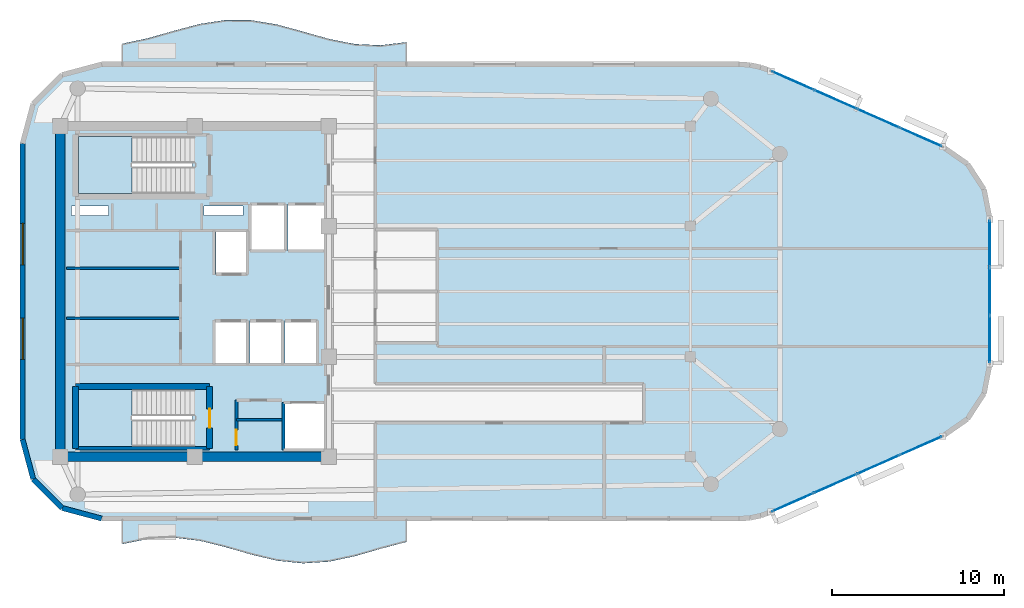
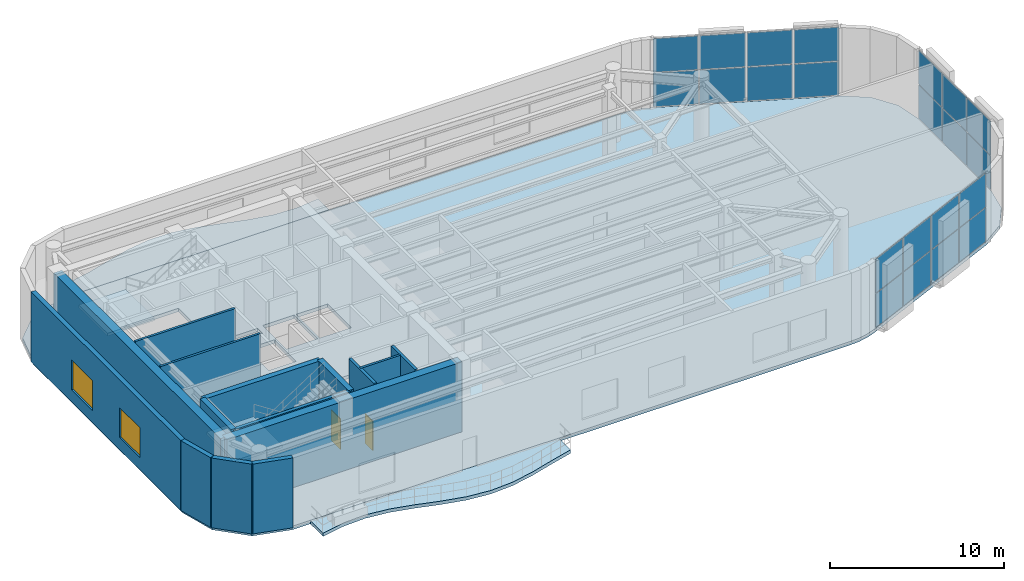
# One storey, part 7 of 12: 22 plates, 15 walls, 5 slabs, 2 doors, 2 windows, 4 openings, 5 elements without a shape of their own.
"""IFC4 building model written with IfcOpenShell, lengths in metres."""

from ifc_helpers import new_model, si_unit, direction, frame, frame_2d, origin, origin_2d, place, context, subcontext, project, spatial, polyline, rectangle, outline, extrude, material, layer, layer_set, type_object, element, fill, aggregate, save


model = new_model("IFC4")

# Units and contexts
model_context = context("Model", 3, precision=1e-05, world=origin(), true_north=direction((0.0, 1.0)))
body_context = subcontext(model_context, "Body", "Model", "MODEL_VIEW")
ifc_project = project(units=[si_unit("LENGTHUNIT", "METRE"), si_unit("AREAUNIT", "SQUARE_METRE"), si_unit("VOLUMEUNIT", "CUBIC_METRE"), si_unit("PLANEANGLEUNIT", "RADIAN"), si_unit("MASSUNIT", "GRAM", prefix="KILO")], contexts=[model_context])

# Site, building, storey
site_placement = place(None, origin())
site = spatial("IfcSite", under=ifc_project, at=site_placement, CompositionType="ELEMENT")
building_placement = place(site_placement, origin())
building = spatial("IfcBuilding", under=site, at=building_placement, Name="An Khanh Terracotta Commons", CompositionType="ELEMENT")
storey_placement = place(building_placement, frame((0.0, 0.0, 253.699951171875)))
storey = spatial("IfcBuildingStorey", under=building, at=storey_placement, Name="L66", CompositionType="ELEMENT", Elevation=253.699951171875)

# Curtain wall, plates
ifc_material_1 = material(Name="Anodised Aluminium 6063-T6", Category="aluminium")
ifc_layer_1 = layer(ifc_material_1, 0.239990234375, Name="Anodised Aluminium 6063-T6")
ifc_layer_set_1 = layer_set([ifc_layer_1], Name="Anodised Aluminium 6063-T6")
curtain_wall_type = type_object("IfcCurtainWallType", Name="CW-SYS-04", PredefinedType="USERDEFINED", material=ifc_layer_set_1)
curtain_wall_1_placement = place(storey_placement, origin())
curtain_wall_1 = element("IfcCurtainWall", 1, at=curtain_wall_1_placement, inside=storey, type_object=curtain_wall_type, Name="L66 CW-04 Unitised Curtain Wall CW-L66-08", ObjectType="UNITISED CURTAIN WALL", PredefinedType="USERDEFINED")
ifc_material_2 = material(Name="Triple-Silver Sky-Lobby Glazing", Category="glass")
ifc_layer_2 = layer(ifc_material_2, 0.0400390625, Name="Triple-Silver Sky-Lobby Glazing")
ifc_layer_set_2 = layer_set([ifc_layer_2], Name="Triple-Silver Sky-Lobby Glazing")
plate_type = type_object("IfcPlateType", Name="CWP-IGU-40", PredefinedType="CURTAIN_PANEL", material=ifc_layer_set_2)
plate_1_placement = place(storey_placement, frame((64.151611328125, 11.7490234375, 0.06005859375), z_axis=(0.0, 0.0, 1.0), x_axis=(0.914901853201, 0.403676354285, 0.0)))
plate_1 = element("IfcPlate", 2, at=plate_1_placement, type_object=plate_type, Name="CW-04 panel 1.1", PredefinedType="CURTAIN_PANEL", context=body_context, shape_type="SweptSolid", body=[
    extrude(rectangle(XDim=2.604248046875, YDim=0.0400390625, at=origin_2d()), origin(), (0.0, 0.0, 1.0), 2.360107421875),
])
plate_2_placement = place(storey_placement, frame((64.151611328125, 11.7490234375, 2.47998046875), z_axis=(0.0, 0.0, 1.0), x_axis=(0.914901853201, 0.403676354285, 0.0)))
plate_2 = element("IfcPlate", 3, at=plate_2_placement, type_object=plate_type, Name="CW-04 panel 1.2", PredefinedType="CURTAIN_PANEL", context=body_context, shape_type="SweptSolid", body=[
    extrude(rectangle(XDim=2.604248046875, YDim=0.0400390625, at=origin_2d()), origin(), (0.0, 0.0, 1.0), 2.360107421875),
])
plate_3_placement = place(storey_placement, frame((66.625732421875, 12.840576171875, 0.06005859375), z_axis=(0.0, 0.0, 1.0), x_axis=(0.914901853201, 0.403676354285, 0.0)))
plate_3 = element("IfcPlate", 4, at=plate_3_placement, type_object=plate_type, Name="CW-04 panel 2.1", PredefinedType="CURTAIN_PANEL", context=body_context, shape_type="SweptSolid", body=[
    extrude(rectangle(XDim=2.644287109375, YDim=0.0400390625, at=origin_2d()), origin(), (0.0, 0.0, 1.0), 2.360107421875),
])
plate_4_placement = place(storey_placement, frame((66.625732421875, 12.840576171875, 2.47998046875), z_axis=(0.0, 0.0, 1.0), x_axis=(0.914901853201, 0.403676354285, 0.0)))
plate_4 = element("IfcPlate", 5, at=plate_4_placement, type_object=plate_type, Name="CW-04 panel 2.2", PredefinedType="CURTAIN_PANEL", context=body_context, shape_type="SweptSolid", body=[
    extrude(rectangle(XDim=2.644287109375, YDim=0.0400390625, at=origin_2d()), origin(), (0.0, 0.0, 1.0), 2.360107421875),
])
plate_5_placement = place(storey_placement, frame((69.1181640625, 13.9404296875, 0.06005859375), z_axis=(0.0, 0.0, 1.0), x_axis=(0.914901853201, 0.403676354285, 0.0)))
plate_5 = element("IfcPlate", 6, at=plate_5_placement, type_object=plate_type, Name="CW-04 panel 3.1", PredefinedType="CURTAIN_PANEL", context=body_context, shape_type="SweptSolid", body=[
    extrude(rectangle(XDim=2.644287109375, YDim=0.0400390625, at=origin_2d()), origin(), (0.0, 0.0, 1.0), 2.360107421875),
])
plate_6_placement = place(storey_placement, frame((69.1181640625, 13.9404296875, 2.47998046875), z_axis=(0.0, 0.0, 1.0), x_axis=(0.914901853201, 0.403676354285, 0.0)))
plate_6 = element("IfcPlate", 7, at=plate_6_placement, type_object=plate_type, Name="CW-04 panel 3.2", PredefinedType="CURTAIN_PANEL", context=body_context, shape_type="SweptSolid", body=[
    extrude(rectangle(XDim=2.644287109375, YDim=0.0400390625, at=origin_2d()), origin(), (0.0, 0.0, 1.0), 2.360107421875),
])
plate_7_placement = place(storey_placement, frame((71.592529296875, 15.031982421875, 0.06005859375), z_axis=(0.0, 0.0, 1.0), x_axis=(0.914901853201, 0.403676354285, 0.0)))
plate_7 = element("IfcPlate", 8, at=plate_7_placement, type_object=plate_type, Name="CW-04 panel 4.1", PredefinedType="CURTAIN_PANEL", context=body_context, shape_type="SweptSolid", body=[
    extrude(rectangle(XDim=2.604248046875, YDim=0.0400390625, at=origin_2d()), origin(), (0.0, 0.0, 1.0), 2.360107421875),
])
plate_8_placement = place(storey_placement, frame((71.592529296875, 15.031982421875, 2.47998046875), z_axis=(0.0, 0.0, 1.0), x_axis=(0.914901853201, 0.403676354285, 0.0)))
plate_8 = element("IfcPlate", 9, at=plate_8_placement, type_object=plate_type, Name="CW-04 panel 4.2", PredefinedType="CURTAIN_PANEL", context=body_context, shape_type="SweptSolid", body=[
    extrude(rectangle(XDim=2.604248046875, YDim=0.0400390625, at=origin_2d()), origin(), (0.0, 0.0, 1.0), 2.360107421875),
])
aggregate(curtain_wall_1, [plate_1, plate_2, plate_3, plate_4, plate_5, plate_6, plate_7, plate_8])

curtain_wall_2_placement = place(storey_placement, origin())
curtain_wall_2 = element("IfcCurtainWall", 10, at=curtain_wall_2_placement, inside=storey, type_object=curtain_wall_type, Name="L66 CW-04 Unitised Curtain Wall CW-L66-12", ObjectType="UNITISED CURTAIN WALL", PredefinedType="USERDEFINED")
plate_9_placement = place(storey_placement, frame((75.60009765625, 21.21875, 0.06005859375), z_axis=(0.0, 0.0, 1.0), x_axis=(0.0, 1.0, 0.0)))
plate_9 = element("IfcPlate", 11, at=plate_9_placement, type_object=plate_type, Name="CW-04 panel 1.1", PredefinedType="CURTAIN_PANEL", context=body_context, shape_type="SweptSolid", body=[
    extrude(rectangle(XDim=2.681396484375, YDim=0.0400390625, at=origin_2d()), origin(), (0.0, 0.0, 1.0), 2.360107421875),
])
plate_10_placement = place(storey_placement, frame((75.60009765625, 21.21875, 2.47998046875), z_axis=(0.0, 0.0, 1.0), x_axis=(0.0, 1.0, 0.0)))
plate_10 = element("IfcPlate", 12, at=plate_10_placement, type_object=plate_type, Name="CW-04 panel 1.2", PredefinedType="CURTAIN_PANEL", context=body_context, shape_type="SweptSolid", body=[
    extrude(rectangle(XDim=2.681396484375, YDim=0.0400390625, at=origin_2d()), origin(), (0.0, 0.0, 1.0), 2.360107421875),
])
plate_11_placement = place(storey_placement, frame((75.60009765625, 24.0, 0.06005859375), z_axis=(0.0, 0.0, 1.0), x_axis=(0.0, 1.0, 0.0)))
plate_11 = element("IfcPlate", 13, at=plate_11_placement, type_object=plate_type, Name="CW-04 panel 2.1", PredefinedType="CURTAIN_PANEL", context=body_context, shape_type="SweptSolid", body=[
    extrude(rectangle(XDim=2.721435546875, YDim=0.0400390625, at=origin_2d()), origin(), (0.0, 0.0, 1.0), 2.360107421875),
])
plate_12_placement = place(storey_placement, frame((75.60009765625, 24.0, 2.47998046875), z_axis=(0.0, 0.0, 1.0), x_axis=(0.0, 1.0, 0.0)))
plate_12 = element("IfcPlate", 14, at=plate_12_placement, type_object=plate_type, Name="CW-04 panel 2.2", PredefinedType="CURTAIN_PANEL", context=body_context, shape_type="SweptSolid", body=[
    extrude(rectangle(XDim=2.721435546875, YDim=0.0400390625, at=origin_2d()), origin(), (0.0, 0.0, 1.0), 2.360107421875),
])
plate_13_placement = place(storey_placement, frame((75.60009765625, 26.78125, 0.06005859375), z_axis=(0.0, 0.0, 1.0), x_axis=(0.0, 1.0, 0.0)))
plate_13 = element("IfcPlate", 15, at=plate_13_placement, type_object=plate_type, Name="CW-04 panel 3.1", PredefinedType="CURTAIN_PANEL", context=body_context, shape_type="SweptSolid", body=[
    extrude(rectangle(XDim=2.681396484375, YDim=0.0400390625, at=origin_2d()), origin(), (0.0, 0.0, 1.0), 2.360107421875),
])
plate_14_placement = place(storey_placement, frame((75.60009765625, 26.78125, 2.47998046875), z_axis=(0.0, 0.0, 1.0), x_axis=(0.0, 1.0, 0.0)))
plate_14 = element("IfcPlate", 16, at=plate_14_placement, type_object=plate_type, Name="CW-04 panel 3.2", PredefinedType="CURTAIN_PANEL", context=body_context, shape_type="SweptSolid", body=[
    extrude(rectangle(XDim=2.681396484375, YDim=0.0400390625, at=origin_2d()), origin(), (0.0, 0.0, 1.0), 2.360107421875),
])
aggregate(curtain_wall_2, [plate_9, plate_10, plate_11, plate_12, plate_13, plate_14])

curtain_wall_3_placement = place(storey_placement, origin())
curtain_wall_3 = element("IfcCurtainWall", 17, at=curtain_wall_3_placement, inside=storey, type_object=curtain_wall_type, Name="L66 CW-04 Unitised Curtain Wall CW-L66-16", ObjectType="UNITISED CURTAIN WALL", PredefinedType="USERDEFINED")
plate_15_placement = place(storey_placement, frame((71.592529296875, 32.968017578125, 0.06005859375), z_axis=(0.0, 0.0, 1.0), x_axis=(-0.914901853201, 0.403676354285, 0.0)))
plate_15 = element("IfcPlate", 18, at=plate_15_placement, type_object=plate_type, Name="CW-04 panel 1.1", PredefinedType="CURTAIN_PANEL", context=body_context, shape_type="SweptSolid", body=[
    extrude(rectangle(XDim=2.604248046875, YDim=0.0400390625, at=origin_2d()), origin(), (0.0, 0.0, 1.0), 2.360107421875),
])
plate_16_placement = place(storey_placement, frame((71.592529296875, 32.968017578125, 2.47998046875), z_axis=(0.0, 0.0, 1.0), x_axis=(-0.914901853201, 0.403676354285, 0.0)))
plate_16 = element("IfcPlate", 19, at=plate_16_placement, type_object=plate_type, Name="CW-04 panel 1.2", PredefinedType="CURTAIN_PANEL", context=body_context, shape_type="SweptSolid", body=[
    extrude(rectangle(XDim=2.604248046875, YDim=0.0400390625, at=origin_2d()), origin(), (0.0, 0.0, 1.0), 2.360107421875),
])
plate_17_placement = place(storey_placement, frame((69.1181640625, 34.0595703125, 0.06005859375), z_axis=(0.0, 0.0, 1.0), x_axis=(-0.914901853201, 0.403676354285, 0.0)))
plate_17 = element("IfcPlate", 20, at=plate_17_placement, type_object=plate_type, Name="CW-04 panel 2.1", PredefinedType="CURTAIN_PANEL", context=body_context, shape_type="SweptSolid", body=[
    extrude(rectangle(XDim=2.644287109375, YDim=0.0400390625, at=origin_2d()), origin(), (0.0, 0.0, 1.0), 2.360107421875),
])
plate_18_placement = place(storey_placement, frame((69.1181640625, 34.0595703125, 2.47998046875), z_axis=(0.0, 0.0, 1.0), x_axis=(-0.914901853201, 0.403676354285, 0.0)))
plate_18 = element("IfcPlate", 21, at=plate_18_placement, type_object=plate_type, Name="CW-04 panel 2.2", PredefinedType="CURTAIN_PANEL", context=body_context, shape_type="SweptSolid", body=[
    extrude(rectangle(XDim=2.644287109375, YDim=0.0400390625, at=origin_2d()), origin(), (0.0, 0.0, 1.0), 2.360107421875),
])
plate_19_placement = place(storey_placement, frame((66.625732421875, 35.159423828125, 0.06005859375), z_axis=(0.0, 0.0, 1.0), x_axis=(-0.914901853201, 0.403676354285, 0.0)))
plate_19 = element("IfcPlate", 22, at=plate_19_placement, type_object=plate_type, Name="CW-04 panel 3.1", PredefinedType="CURTAIN_PANEL", context=body_context, shape_type="SweptSolid", body=[
    extrude(rectangle(XDim=2.644287109375, YDim=0.0400390625, at=origin_2d()), origin(), (0.0, 0.0, 1.0), 2.360107421875),
])
plate_20_placement = place(storey_placement, frame((66.625732421875, 35.159423828125, 2.47998046875), z_axis=(0.0, 0.0, 1.0), x_axis=(-0.914901853201, 0.403676354285, 0.0)))
plate_20 = element("IfcPlate", 23, at=plate_20_placement, type_object=plate_type, Name="CW-04 panel 3.2", PredefinedType="CURTAIN_PANEL", context=body_context, shape_type="SweptSolid", body=[
    extrude(rectangle(XDim=2.644287109375, YDim=0.0400390625, at=origin_2d()), origin(), (0.0, 0.0, 1.0), 2.360107421875),
])
plate_21_placement = place(storey_placement, frame((64.151611328125, 36.2509765625, 0.06005859375), z_axis=(0.0, 0.0, 1.0), x_axis=(-0.914901853201, 0.403676354285, 0.0)))
plate_21 = element("IfcPlate", 24, at=plate_21_placement, type_object=plate_type, Name="CW-04 panel 4.1", PredefinedType="CURTAIN_PANEL", context=body_context, shape_type="SweptSolid", body=[
    extrude(rectangle(XDim=2.604248046875, YDim=0.0400390625, at=origin_2d()), origin(), (0.0, 0.0, 1.0), 2.360107421875),
])
plate_22_placement = place(storey_placement, frame((64.151611328125, 36.2509765625, 2.47998046875), z_axis=(0.0, 0.0, 1.0), x_axis=(-0.914901853201, 0.403676354285, 0.0)))
plate_22 = element("IfcPlate", 25, at=plate_22_placement, type_object=plate_type, Name="CW-04 panel 4.2", PredefinedType="CURTAIN_PANEL", context=body_context, shape_type="SweptSolid", body=[
    extrude(rectangle(XDim=2.604248046875, YDim=0.0400390625, at=origin_2d()), origin(), (0.0, 0.0, 1.0), 2.360107421875),
])
aggregate(curtain_wall_3, [plate_15, plate_16, plate_17, plate_18, plate_19, plate_20, plate_21, plate_22])

# Slabs
ifc_material_3 = material(Name="Concrete C40/50", Category="concrete")
ifc_layer_3 = layer(ifc_material_3, 0.239990234375, Name="Concrete C40/50")
ifc_layer_set_3 = layer_set([ifc_layer_3], Name="Concrete C40/50")
slab_type_1 = type_object("IfcSlabType", Name="SLAB-BALC-240", PredefinedType="FLOOR", material=ifc_layer_set_3)
slab_1_placement = place(storey_placement, frame((0.0, 0.0, -0.239990234375)))
element("IfcSlab", 26, at=slab_1_placement, inside=storey, type_object=slab_type_1, Name="L66 S Sinusoidal Wave Balcony Slab", PredefinedType="FLOOR", context=body_context, shape_type="SweptSolid", body=[
    extrude(outline(polyline([(25.199951171875, 10.800048828125), (25.199951171875, 9.324951171875), (26.699951171875, 9.623046875), (28.199951171875, 9.694091796875), (29.699951171875, 9.513916015625), (31.199951171875, 9.14404296875), (32.699951171875, 8.708984375), (34.199951171875, 8.35498046875), (35.699951171875, 8.201904296875), (37.199951171875, 8.300048828125), (38.699951171875, 8.617919921875), (40.199951171875, 9.048095703125), (41.699951171875, 9.445068359375), (41.699951171875, 10.800048828125), (25.199951171875, 10.800048828125)])), origin(), (0.0, 0.0, 1.0), 0.239990234375),
])
slab_2_placement = place(storey_placement, frame((0.0, 0.0, -0.239990234375)))
element("IfcSlab", 27, at=slab_2_placement, inside=storey, type_object=slab_type_1, Name="L66 N Sinusoidal Wave Balcony Slab", PredefinedType="FLOOR", context=body_context, shape_type="SweptSolid", body=[
    extrude(outline(polyline([(41.699951171875, 37.199951171875), (41.699951171875, 38.486083984375), (40.199951171875, 38.305908203125), (38.699951171875, 38.376953125), (37.199951171875, 38.675048828125), (35.699951171875, 39.09912109375), (34.199951171875, 39.507080078125), (32.699951171875, 39.760009765625), (31.199951171875, 39.77392578125), (29.699951171875, 39.544921875), (28.199951171875, 39.14794921875), (26.699951171875, 38.718017578125), (25.199951171875, 38.39990234375), (25.199951171875, 37.199951171875), (41.699951171875, 37.199951171875)])), origin(), (0.0, 0.0, 1.0), 0.239990234375),
])

# Stair, slab
ifc_material_4 = material(Name="Precast concrete C40/50", Category="concrete")
stair_type = type_object("IfcStairType", Name="STAIR-CORE-1550", PredefinedType="HALF_TURN_STAIR", material=ifc_material_4)
stair_1_placement = place(storey_placement, origin())
stair_1 = element("IfcStair", 28, at=stair_1_placement, inside=storey, type_object=stair_type, Name="L66 Core Smokeproof Exit Stair ST-01", PredefinedType="HALF_TURN_STAIR")
ifc_layer_4 = layer(ifc_material_3, 0.18994140625, Name="Concrete C40/50")
ifc_layer_set_4 = layer_set([ifc_layer_4], Name="Concrete C40/50")
slab_type_2 = type_object("IfcSlabType", Name="SLAB-LANDING-190", PredefinedType="LANDING", material=ifc_layer_set_4)
slab_3_placement = place(storey_placement, frame((0.0, 0.0, 2.35009765625)))
slab_3 = element("IfcSlab", 29, at=slab_3_placement, type_object=slab_type_2, Name="ST-01 landing 1", PredefinedType="LANDING", context=body_context, shape_type="SweptSolid", body=[
    extrude(outline(polyline([(25.77001953125, 33.0), (22.64990234375, 33.0), (22.64990234375, 29.699951171875), (25.77001953125, 29.699951171875), (25.77001953125, 33.0)])), origin(), (0.0, 0.0, 1.0), 0.199951171875),
])
aggregate(stair_1, [slab_3])

stair_2_placement = place(storey_placement, origin())
stair_2 = element("IfcStair", 30, at=stair_2_placement, inside=storey, type_object=stair_type, Name="L66 Core Smokeproof Exit Stair ST-02", PredefinedType="HALF_TURN_STAIR")
slab_4_placement = place(storey_placement, frame((0.0, 0.0, 2.35009765625)))
slab_4 = element("IfcSlab", 31, at=slab_4_placement, type_object=slab_type_2, Name="ST-02 landing 1", PredefinedType="LANDING", context=body_context, shape_type="SweptSolid", body=[
    extrude(outline(polyline([(25.77001953125, 18.300048828125), (22.64990234375, 18.300048828125), (22.64990234375, 15.0), (25.77001953125, 15.0), (25.77001953125, 18.300048828125)])), origin(), (0.0, 0.0, 1.0), 0.199951171875),
])
aggregate(stair_2, [slab_4])

# Slab
ifc_layer_5 = layer(ifc_material_3, 0.239990234375, Name="Concrete C40/50")
ifc_layer_set_5 = layer_set([ifc_layer_5], Name="Concrete C40/50")
slab_type_3 = type_object("IfcSlabType", Name="SLAB-SKY-240", PredefinedType="FLOOR", material=ifc_layer_set_5)
slab_5_placement = place(storey_placement, frame((0.0, 0.0, -0.239990234375)))
element("IfcSlab", 32, at=slab_5_placement, inside=storey, type_object=slab_type_3, Name="L66 Structural Floor Slab", PredefinedType="FLOOR", context=body_context, shape_type="SweptSolid", body=[
    extrude(outline(polyline([(19.39990234375, 15.39990234375), (20.01611328125, 13.10009765625), (21.699951171875, 11.416015625), (24.0, 10.800048828125), (61.030029296875, 10.800048828125), (61.6650390625, 10.843994140625), (62.2880859375, 10.97509765625), (62.886962890625, 11.19091796875), (72.85693359375, 15.590087890625), (74.302001953125, 16.594970703125), (75.262939453125, 18.070068359375), (75.60009765625, 19.798095703125), (75.60009765625, 28.201904296875), (75.262939453125, 29.929931640625), (74.302001953125, 31.405029296875), (72.85693359375, 32.409912109375), (62.886962890625, 36.80908203125), (62.2880859375, 37.02490234375), (61.6650390625, 37.156005859375), (61.030029296875, 37.199951171875), (24.0, 37.199951171875), (21.699951171875, 36.583984375), (20.01611328125, 34.89990234375), (19.39990234375, 32.60009765625), (19.39990234375, 15.39990234375)]), holes=[polyline([(22.64990234375, 29.699951171875), (29.27001953125, 29.699951171875), (29.27001953125, 33.0), (22.64990234375, 33.0), (22.64990234375, 29.699951171875)]), polyline([(22.64990234375, 15.0), (29.27001953125, 15.0), (29.27001953125, 18.300048828125), (22.64990234375, 18.300048828125), (22.64990234375, 15.0)]), polyline([(32.60009765625, 26.35009765625), (34.679931640625, 26.35009765625), (34.679931640625, 29.080078125), (32.60009765625, 29.080078125), (32.60009765625, 26.35009765625)]), polyline([(34.820068359375, 26.35009765625), (36.89990234375, 26.35009765625), (36.89990234375, 29.080078125), (34.820068359375, 29.080078125), (34.820068359375, 26.35009765625)]), polyline([(34.550048828125, 14.800048828125), (36.89990234375, 14.800048828125), (36.89990234375, 17.550048828125), (34.550048828125, 17.550048828125), (34.550048828125, 14.800048828125)]), polyline([(30.639892578125, 25.0), (32.4599609375, 25.0), (32.4599609375, 27.5), (30.639892578125, 27.5), (30.639892578125, 25.0)]), polyline([(30.56005859375, 19.800048828125), (32.4599609375, 19.800048828125), (32.4599609375, 22.300048828125), (30.56005859375, 22.300048828125), (30.56005859375, 19.800048828125)]), polyline([(32.60009765625, 19.800048828125), (34.5, 19.800048828125), (34.5, 22.300048828125), (32.60009765625, 22.300048828125), (32.60009765625, 19.800048828125)]), polyline([(34.639892578125, 19.800048828125), (36.5400390625, 19.800048828125), (36.5400390625, 22.300048828125), (34.639892578125, 22.300048828125), (34.639892578125, 19.800048828125)]), polyline([(22.25, 28.419921875), (24.39990234375, 28.419921875), (24.39990234375, 28.97998046875), (22.25, 28.97998046875), (22.25, 28.419921875)]), polyline([(29.949951171875, 28.419921875), (32.199951171875, 28.419921875), (32.199951171875, 28.97998046875), (29.949951171875, 28.97998046875), (29.949951171875, 28.419921875)])]), origin(), (0.0, 0.0, 1.0), 0.239990234375),
])

# Walls
ifc_material_5 = material(Name="Concrete C50/60", Category="concrete")
ifc_layer_6 = layer(ifc_material_5, 0.550048828125, Name="Concrete C50/60")
ifc_layer_set_6 = layer_set([ifc_layer_6], Name="Concrete C50/60")
wall_type_1 = type_object("IfcWallType", Name="WALL-CORE-550", PredefinedType="SHEAR", material=ifc_layer_set_6)
wall_1_placement = place(storey_placement, frame((21.60009765625, 14.39990234375, 0.0), z_axis=(0.0, 0.0, 1.0), x_axis=(0.0, 1.0, 0.0)))
element("IfcWall", 33, at=wall_1_placement, inside=storey, type_object=wall_type_1, Name="L66 Core Wall CWALL-L66-W", PredefinedType="SHEAR", context=body_context, shape_type="SweptSolid", body=[
    extrude(rectangle(XDim=19.2001953125, YDim=0.550048828125, at=frame_2d((9.60009765625, 0.0))), origin(), (0.0, 0.0, 1.0), 4.900146484375),
])
wall_2_placement = place(storey_placement, frame((37.199951171875, 14.39990234375, 0.0), z_axis=(0.0, 0.0, 1.0), x_axis=(-1.0, 0.0, 0.0)))
element("IfcWall", 34, at=wall_2_placement, inside=storey, type_object=wall_type_1, Name="L66 Core Wall CWALL-L66-S", PredefinedType="SHEAR", context=body_context, shape_type="SweptSolid", body=[
    extrude(rectangle(XDim=15.599853515625, YDim=0.550048828125, at=frame_2d((7.7998046875, 0.0))), origin(), (0.0, 0.0, 1.0), 4.900146484375),
])

# Wall, opening, door
ifc_material_6 = material(Name="Fire-Rated Gypsum Board on Steel Stud", Category="steel")
ifc_layer_7 = layer(ifc_material_6, 0.179931640625, Name="Fire-Rated Gypsum Board on Steel Stud")
ifc_layer_set_7 = layer_set([ifc_layer_7], Name="Fire-Rated Gypsum Board on Steel Stud")
wall_type_2 = type_object("IfcWallType", Name="WALL-CORR-180", PredefinedType="PARTITIONING", material=ifc_layer_set_7)
wall_3_placement = place(storey_placement, frame((31.820068359375, 14.800048828125, 0.0), z_axis=(0.0, 0.0, 1.0), x_axis=(0.0, 1.0, 0.0)))
wall_3 = element("IfcWall", 35, at=wall_3_placement, inside=storey, type_object=wall_type_2, Name="L66 Core Wall SSVCW-L66-W", PredefinedType="PARTITIONING", context=body_context, shape_type="SweptSolid", body=[
    extrude(rectangle(XDim=2.8798828125, YDim=0.179931640625, at=frame_2d((1.43994140625, 0.0))), origin(), (0.0, 0.0, 1.0), 4.900146484375),
])
opening_1_placement = place(wall_3_placement, frame((0.260009765625, 0.0, 0.0)))
opening_1 = element("IfcOpeningElement", 36, at=opening_1_placement, cuts=wall_3, Name="Opening D-SV", PredefinedType="OPENING", context=body_context, shape_type="SweptSolid", body=[
    extrude(rectangle(XDim=0.89990234375, YDim=2.050048828125, at=frame_2d((0.449951171875, 1.02490234375))), frame((0.0, 0.099853515625, 0.0), z_axis=(0.0, -1.0, 0.0), x_axis=(1.0, 0.0, 0.0)), (0.0, 0.0, 1.0), 0.199951171875),
])
ifc_material_7 = material(Name="Fire-Rated Powder-Coated Steel Door", Category="steel")
door_type_1 = type_object("IfcDoorType", Name="DOOR-SERV-900", OperationType="NOTDEFINED", PredefinedType="DOOR", material=ifc_material_7)
door_1_placement = place(opening_1_placement, origin())
door_1 = element("IfcDoor", 37, at=door_1_placement, inside=storey, type_object=door_type_1, Name="L66 Telecoms BMS Cupboard Door", OperationType="SINGLE_SWING_RIGHT", OverallHeight=2.050048828125, OverallWidth=0.89990234375, PredefinedType="DOOR", context=body_context, shape_type="SweptSolid", body=[
    extrude(rectangle(XDim=0.89990234375, YDim=2.050048828125, at=frame_2d((0.449951171875, 1.02490234375))), frame((0.0, 0.02490234375, 0.0), z_axis=(0.0, -1.0, 0.0), x_axis=(1.0, 0.0, 0.0)), (0.0, 0.0, 1.0), 0.050048828125),
])
fill(opening_1, door_1)

# Walls
wall_4_placement = place(storey_placement, frame((34.550048828125, 17.550048828125, 0.0), z_axis=(0.0, 0.0, 1.0), x_axis=(0.0, -1.0, 0.0)))
element("IfcWall", 38, at=wall_4_placement, inside=storey, type_object=wall_type_2, Name="L66 Core Wall LSH-L66-SVL-01-W", PredefinedType="PARTITIONING", context=body_context, shape_type="SweptSolid", body=[
    extrude(rectangle(XDim=2.75, YDim=0.179931640625, at=frame_2d((1.375, 0.0))), origin(), (0.0, 0.0, 1.0), 4.900146484375),
])
ifc_layer_8 = layer(ifc_material_4, 0.300048828125, Name="Precast concrete C40/50")
ifc_layer_set_8 = layer_set([ifc_layer_8], Name="Precast concrete C40/50")
wall_type_3 = type_object("IfcWallType", Name="WALL-EXT-300", PredefinedType="SOLIDWALL", material=ifc_layer_set_8)
wall_5_placement = place(storey_placement, frame((19.39990234375, 15.39990234375, 0.0), z_axis=(0.0, 0.0, 1.0), x_axis=(0.258811258154, -0.965927912762, 0.0)))
element("IfcWall", 39, at=wall_5_placement, inside=storey, type_object=wall_type_3, Name="L66 Insulated Terracotta Exterior Wall 1", PredefinedType="SOLIDWALL", context=body_context, shape_type="SweptSolid", body=[
    extrude(rectangle(XDim=2.380859375, YDim=0.300048828125, at=frame_2d((1.1904296875, 0.0))), origin(), (0.0, 0.0, 1.0), 4.900146484375),
])
wall_6_placement = place(storey_placement, frame((20.01611328125, 13.10009765625, 0.0), z_axis=(0.0, 0.0, 1.0), x_axis=(0.707055521135, -0.707158037522, 0.0)))
element("IfcWall", 40, at=wall_6_placement, inside=storey, type_object=wall_type_3, Name="L66 Insulated Terracotta Exterior Wall 2", PredefinedType="SOLIDWALL", context=body_context, shape_type="SweptSolid", body=[
    extrude(rectangle(XDim=2.381591796875, YDim=0.300048828125, at=frame_2d((1.19091796875, 0.0))), origin(), (0.0, 0.0, 1.0), 4.900146484375),
])
wall_7_placement = place(storey_placement, frame((21.699951171875, 11.416015625, 0.0), z_axis=(0.0, 0.0, 1.0), x_axis=(0.965960405575, -0.25868995895, 0.0)))
element("IfcWall", 41, at=wall_7_placement, inside=storey, type_object=wall_type_3, Name="L66 Insulated Terracotta Exterior Wall 3", PredefinedType="SOLIDWALL", context=body_context, shape_type="SweptSolid", body=[
    extrude(rectangle(XDim=2.381103515625, YDim=0.300048828125, at=frame_2d((1.1904296875, 0.0))), origin(), (0.0, 0.0, 1.0), 4.900146484375),
])

# Wall, openings, windows
wall_8_placement = place(storey_placement, frame((19.39990234375, 32.60009765625, 0.0), z_axis=(0.0, 0.0, 1.0), x_axis=(0.0, -1.0, 0.0)))
wall_8 = element("IfcWall", 42, at=wall_8_placement, inside=storey, type_object=wall_type_3, Name="L66 Insulated Terracotta Exterior Wall 24", PredefinedType="SOLIDWALL", context=body_context, shape_type="SweptSolid", body=[
    extrude(rectangle(XDim=17.2001953125, YDim=0.300048828125, at=frame_2d((8.60009765625, 0.0))), origin(), (0.0, 0.0, 1.0), 4.900146484375),
])
opening_2_placement = place(wall_8_placement, frame((4.64990234375, 0.0, 0.85009765625)))
opening_2 = element("IfcOpeningElement", 43, at=opening_2_placement, cuts=wall_8, Name="Opening W-07", PredefinedType="OPENING", context=body_context, shape_type="SweptSolid", body=[
    extrude(rectangle(XDim=2.39990234375, YDim=2.10009765625, at=frame_2d((1.199951171875, 1.050048828125))), frame((0.0, 0.159912109375, 0.0), z_axis=(0.0, -1.0, 0.0), x_axis=(1.0, 0.0, 0.0)), (0.0, 0.0, 1.0), 0.320068359375),
])
opening_3_placement = place(wall_8_placement, frame((10.14990234375, 0.0, 0.85009765625)))
opening_3 = element("IfcOpeningElement", 44, at=opening_3_placement, cuts=wall_8, Name="Opening W-07", PredefinedType="OPENING", context=body_context, shape_type="SweptSolid", body=[
    extrude(rectangle(XDim=2.39990234375, YDim=2.10009765625, at=frame_2d((1.199951171875, 1.050048828125))), frame((0.0, 0.159912109375, 0.0), z_axis=(0.0, -1.0, 0.0), x_axis=(1.0, 0.0, 0.0)), (0.0, 0.0, 1.0), 0.320068359375),
])
ifc_material_8 = material(Name="Thermally Broken Aluminium and Low-E Glass", Category="aluminium")
window_type = type_object("IfcWindowType", Name="WIN-SKY-2400x2100", PartitioningType="TRIPLE_PANEL_VERTICAL", PredefinedType="WINDOW", material=ifc_material_8)
window_1_placement = place(opening_2_placement, origin())
window_1 = element("IfcWindow", 45, at=window_1_placement, inside=storey, type_object=window_type, Name="L66 Operable Casement Window 24.1", OverallHeight=2.10009765625, OverallWidth=2.39990234375, PartitioningType="TRIPLE_PANEL_VERTICAL", PredefinedType="WINDOW", context=body_context, shape_type="SweptSolid", body=[
    extrude(rectangle(XDim=2.39990234375, YDim=2.10009765625, at=frame_2d((1.199951171875, 1.050048828125))), frame((0.0, 0.030029296875, 0.0), z_axis=(0.0, -1.0, 0.0), x_axis=(1.0, 0.0, 0.0)), (0.0, 0.0, 1.0), 0.06005859375),
])
fill(opening_2, window_1)
window_2_placement = place(opening_3_placement, origin())
window_2 = element("IfcWindow", 46, at=window_2_placement, inside=storey, type_object=window_type, Name="L66 Operable Casement Window 24.2", OverallHeight=2.10009765625, OverallWidth=2.39990234375, PartitioningType="TRIPLE_PANEL_VERTICAL", PredefinedType="WINDOW", context=body_context, shape_type="SweptSolid", body=[
    extrude(rectangle(XDim=2.39990234375, YDim=2.10009765625, at=frame_2d((1.199951171875, 1.050048828125))), frame((0.0, 0.030029296875, 0.0), z_axis=(0.0, -1.0, 0.0), x_axis=(1.0, 0.0, 0.0)), (0.0, 0.0, 1.0), 0.06005859375),
])
fill(opening_3, window_2)

# Walls
ifc_material_9 = material(Name="Acoustic Gypsum Board Partition")
ifc_layer_9 = layer(ifc_material_9, 0.14990234375, Name="Acoustic Gypsum Board Partition")
ifc_layer_set_9 = layer_set([ifc_layer_9], Name="Acoustic Gypsum Board Partition")
wall_type_4 = type_object("IfcWallType", Name="WALL-PART-150", PredefinedType="PARTITIONING", material=ifc_layer_set_9)
wall_9_placement = place(storey_placement, frame((31.820068359375, 16.550048828125, 0.0), z_axis=(0.0, 0.0, 1.0), x_axis=(1.0, 0.0, 0.0)))
element("IfcWall", 47, at=wall_9_placement, inside=storey, type_object=wall_type_4, Name="L66 Core Wall SSVCW-L66-M", PredefinedType="PARTITIONING", context=body_context, shape_type="SweptSolid", body=[
    extrude(rectangle(XDim=2.659912109375, YDim=0.14990234375, at=frame_2d((1.330078125, 0.0))), origin(), (0.0, 0.0, 1.0), 4.900146484375),
])
for number, where, z_axis, x_axis, name in (
    (48, (21.949951171875, 25.35009765625, 0.0), (0.0, 0.0, 1.0), (1.0, 0.0, 0.0), "L66 Core Wall RECW-L66-H1"),
    (49, (21.949951171875, 22.449951171875, 0.0), (0.0, 0.0, 1.0), (1.0, 0.0, 0.0), "L66 Core Wall RECW-L66-H2"),
):
    element("IfcWall", number, at=place(storey_placement, frame(where, z_axis=z_axis, x_axis=x_axis)), inside=storey, type_object=wall_type_4, Name=name, PredefinedType="PARTITIONING", context=body_context, shape_type="SweptSolid", body=[
        extrude(rectangle(XDim=6.630126953125, YDim=0.14990234375, at=frame_2d((3.31494140625, 0.0))), origin(), (0.0, 0.0, 1.0), 4.900146484375),
    ])
ifc_material_10 = material(Name="Acoustic Double-Stud Gypsum and Mineral Wool")
ifc_layer_10 = layer(ifc_material_10, 0.219970703125, Name="Acoustic Double-Stud Gypsum and Mineral Wool")
ifc_layer_set_10 = layer_set([ifc_layer_10], Name="Acoustic Double-Stud Gypsum and Mineral Wool")
wall_type_5 = type_object("IfcWallType", Name="WALL-PARTY-220", PredefinedType="PARTITIONING", material=ifc_layer_set_10)
wall_10_placement = place(storey_placement, frame((22.47998046875, 14.889892578125, 0.0), z_axis=(0.0, 0.0, 1.0), x_axis=(1.0, 0.0, 0.0)))
element("IfcWall", 50, at=wall_10_placement, inside=storey, type_object=wall_type_5, Name="L66 Core Wall STW-L66-S-S", PredefinedType="PARTITIONING", context=body_context, shape_type="SweptSolid", body=[
    extrude(rectangle(XDim=7.7900390625, YDim=0.219970703125, at=frame_2d((3.89501953125, 0.0))), origin(), (0.0, 0.0, 1.0), 4.900146484375),
])
ifc_layer_11 = layer(ifc_material_5, 0.35009765625, Name="Concrete C50/60")
ifc_layer_set_11 = layer_set([ifc_layer_11], Name="Concrete C50/60")
wall_type_6 = type_object("IfcWallType", Name="WALL-SHAFT-350", PredefinedType="SOLIDWALL", material=ifc_layer_set_11)
wall_11_placement = place(storey_placement, frame((22.47998046875, 18.469970703125, 0.0), z_axis=(0.0, 0.0, 1.0), x_axis=(1.0, 0.0, 0.0)))
element("IfcWall", 51, at=wall_11_placement, inside=storey, type_object=wall_type_6, Name="L66 Core Wall STW-L66-S-N", PredefinedType="SOLIDWALL", context=body_context, shape_type="SweptSolid", body=[
    extrude(rectangle(XDim=7.7900390625, YDim=0.35009765625, at=frame_2d((3.89501953125, 0.0))), origin(), (0.0, 0.0, 1.0), 4.900146484375),
])
wall_12_placement = place(storey_placement, frame((22.47998046875, 14.889892578125, 0.0), z_axis=(0.0, 0.0, 1.0), x_axis=(0.0, 1.0, 0.0)))
element("IfcWall", 52, at=wall_12_placement, inside=storey, type_object=wall_type_6, Name="L66 Core Wall STW-L66-S-W", PredefinedType="SOLIDWALL", context=body_context, shape_type="SweptSolid", body=[
    extrude(rectangle(XDim=3.580078125, YDim=0.35009765625, at=frame_2d((1.7900390625, 0.0))), origin(), (0.0, 0.0, 1.0), 4.900146484375),
])

# Wall, opening, door
wall_13_placement = place(storey_placement, frame((30.27001953125, 14.889892578125, 0.0), z_axis=(0.0, 0.0, 1.0), x_axis=(0.0, 1.0, 0.0)))
wall_13 = element("IfcWall", 53, at=wall_13_placement, inside=storey, type_object=wall_type_6, Name="L66 Core Wall STW-L66-S-E", PredefinedType="SOLIDWALL", context=body_context, shape_type="SweptSolid", body=[
    extrude(rectangle(XDim=3.580078125, YDim=0.35009765625, at=frame_2d((1.7900390625, 0.0))), origin(), (0.0, 0.0, 1.0), 4.900146484375),
])
opening_4_placement = place(wall_13_placement, frame((1.18994140625, 0.0, 0.0)))
opening_4 = element("IfcOpeningElement", 54, at=opening_4_placement, cuts=wall_13, Name="Opening D-ST", PredefinedType="OPENING", context=body_context, shape_type="SweptSolid", body=[
    extrude(rectangle(XDim=1.10009765625, YDim=2.14990234375, at=frame_2d((0.550048828125, 1.074951171875))), frame((0.0, 0.18505859375, 0.0), z_axis=(0.0, -1.0, 0.0), x_axis=(1.0, 0.0, 0.0)), (0.0, 0.0, 1.0), 0.3701171875),
])
ifc_material_11 = material(Name="Fire-Rated Steel Leaf and Frame", Category="steel")
door_type_2 = type_object("IfcDoorType", Name="DOOR-STAIR-1100", OperationType="NOTDEFINED", PredefinedType="DOOR", material=ifc_material_11)
door_2_placement = place(opening_4_placement, origin())
door_2 = element("IfcDoor", 55, at=door_2_placement, inside=storey, type_object=door_type_2, Name="L66 Stair ST-02 Fire Door", OperationType="SINGLE_SWING_RIGHT", OverallHeight=2.14990234375, OverallWidth=1.10009765625, PredefinedType="DOOR", context=body_context, shape_type="SweptSolid", body=[
    extrude(rectangle(XDim=1.10009765625, YDim=2.14990234375, at=frame_2d((0.550048828125, 1.074951171875))), frame((0.0, 0.02490234375, 0.0), z_axis=(0.0, -1.0, 0.0), x_axis=(1.0, 0.0, 0.0)), (0.0, 0.0, 1.0), 0.050048828125),
])
fill(opening_4, door_2)

save(model, "model.ifc")
